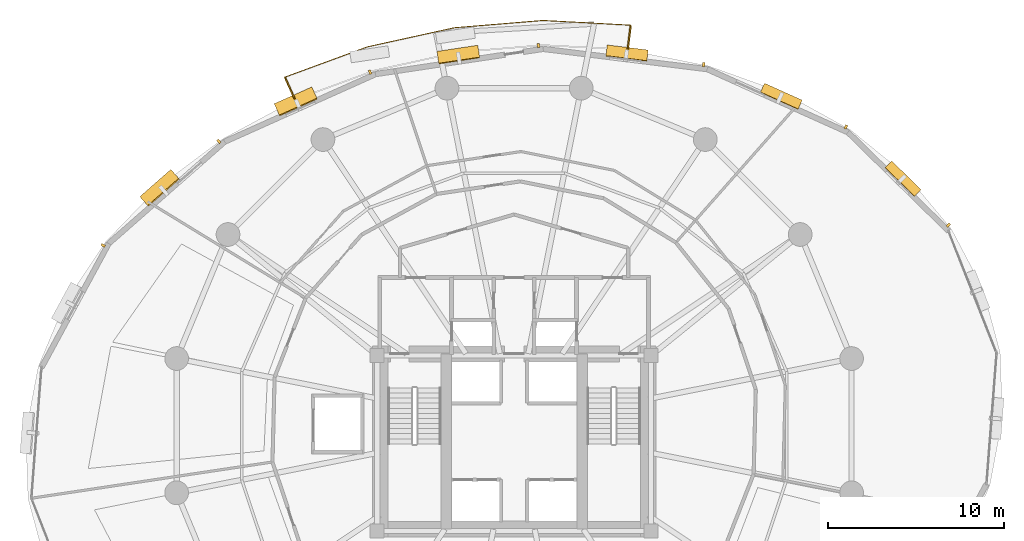
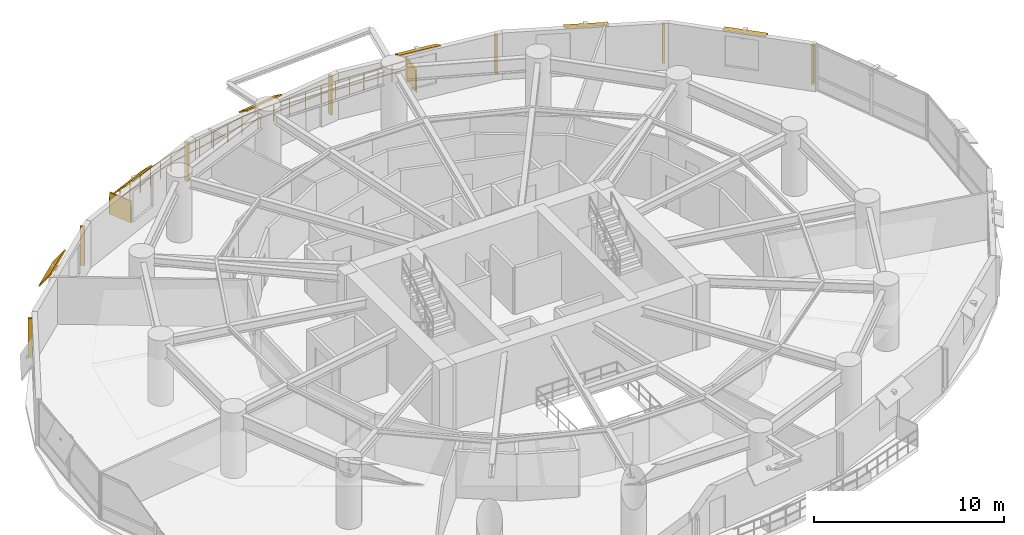
# One storey, part 17 of 17: 15 shading devices, 1 railing.
"""IFC4 building model written with IfcOpenShell, lengths in metres."""

from ifc_helpers import new_model, si_unit, direction, frame, origin, origin_2d, place, context, subcontext, project, spatial, rectangle, extrude, material, layer, layer_set, type_object, element, save


model = new_model("IFC4")

# Units and contexts
model_context = context("Model", 3, precision=1e-05, world=origin(), true_north=direction((0.0, 1.0)))
body_context = subcontext(model_context, "Body", "Model", "MODEL_VIEW")
ifc_project = project(units=[si_unit("LENGTHUNIT", "METRE"), si_unit("AREAUNIT", "SQUARE_METRE"), si_unit("VOLUMEUNIT", "CUBIC_METRE"), si_unit("PLANEANGLEUNIT", "RADIAN"), si_unit("MASSUNIT", "GRAM", prefix="KILO"), si_unit("THERMODYNAMICTEMPERATUREUNIT", "KELVIN"), si_unit("POWERUNIT", "WATT")], contexts=[model_context])

# Site, building, storey
site_placement = place(None, origin())
site = spatial("IfcSite", under=ifc_project, at=site_placement, CompositionType="ELEMENT")
building_placement = place(site_placement, origin())
building = spatial("IfcBuilding", under=site, at=building_placement, Name="Ocrelia Relay Tower", CompositionType="ELEMENT")
storey_placement = place(building_placement, frame((0.0, 0.0, 67.800048828125)))
storey = spatial("IfcBuildingStorey", under=building, at=storey_placement, Name="L15", CompositionType="ELEMENT", Elevation=67.800048828125)

# Railing
ifc_material_1 = material(Name="Steel S355 balustrade", Category="steel")
railing_type = type_object("IfcRailingType", Name="RL-EXT-GUARD-1150", PredefinedType="GUARDRAIL", material=ifc_material_1)
railing_placement = place(storey_placement, frame((21.513916015625, 44.58251953125, 0.0)))
element("IfcRailing", 1, at=railing_placement, inside=storey, type_object=railing_type, Name="L15 Loggia Balcony Guard Rail B1", PredefinedType="GUARDRAIL", context=body_context, shape_type="SweptSolid", body=[
    extrude(rectangle(XDim=0.048095703125, YDim=0.048095703125, at=origin_2d()), frame((0.0, 0.0, 1.1259765625), z_axis=(-0.410116994028, 0.912032922218, 0.0), x_axis=(-0.912032922218, -0.410116994028, 0.0)), (0.0, 0.0, 1.0), 1.3935546875),
    extrude(rectangle(XDim=0.048095703125, YDim=0.048095703125, at=origin_2d()), frame((0.0, 0.0, 0.574951171875), z_axis=(-0.410116994028, 0.912032922218, 0.0), x_axis=(-0.912032922218, -0.410116994028, 0.0)), (0.0, 0.0, 1.0), 1.3935546875),
    extrude(rectangle(XDim=0.048095703125, YDim=0.048095703125, at=origin_2d()), frame((-0.571533203125, 1.27099609375, 1.1259765625), z_axis=(0.938667184319, 0.34482447286, 0.0), x_axis=(-0.34482447286, 0.938667184319, 0.0)), (0.0, 0.0, 1.0), 2.5048828125),
    extrude(rectangle(XDim=0.048095703125, YDim=0.048095703125, at=origin_2d()), frame((-0.571533203125, 1.27099609375, 0.574951171875), z_axis=(0.938667184319, 0.34482447286, 0.0), x_axis=(-0.34482447286, 0.938667184319, 0.0)), (0.0, 0.0, 1.0), 2.5048828125),
    extrude(rectangle(XDim=0.048095703125, YDim=0.048095703125, at=origin_2d()), frame((1.77978515625, 2.134765625, 1.1259765625), z_axis=(0.938635635039, 0.344910342893, 0.0), x_axis=(-0.344910342893, 0.938635635039, 0.0)), (0.0, 0.0, 1.0), 2.505126953125),
    extrude(rectangle(XDim=0.048095703125, YDim=0.048095703125, at=origin_2d()), frame((1.77978515625, 2.134765625, 0.574951171875), z_axis=(0.938635635039, 0.344910342893, 0.0), x_axis=(-0.344910342893, 0.938635635039, 0.0)), (0.0, 0.0, 1.0), 2.505126953125),
    extrude(rectangle(XDim=0.048095703125, YDim=0.048095703125, at=origin_2d()), frame((4.131103515625, 2.998779296875, 1.1259765625), z_axis=(0.976691377526, 0.214648440634, 0.0), x_axis=(-0.214648440634, 0.976691377526, 0.0)), (0.0, 0.0, 1.0), 5.06494140625),
    extrude(rectangle(XDim=0.048095703125, YDim=0.048095703125, at=origin_2d()), frame((4.131103515625, 2.998779296875, 0.574951171875), z_axis=(0.976691377526, 0.214648440634, 0.0), x_axis=(-0.214648440634, 0.976691377526, 0.0)), (0.0, 0.0, 1.0), 5.06494140625),
    extrude(rectangle(XDim=0.048095703125, YDim=0.048095703125, at=origin_2d()), frame((9.077880859375, 4.0859375, 1.1259765625), z_axis=(0.996629347747, 0.082036231072, 0.0), x_axis=(-0.082036231072, 0.996629347747, 0.0)), (0.0, 0.0, 1.0), 5.065185546875),
    extrude(rectangle(XDim=0.048095703125, YDim=0.048095703125, at=origin_2d()), frame((9.077880859375, 4.0859375, 0.574951171875), z_axis=(0.996629347747, 0.082036231072, 0.0), x_axis=(-0.082036231072, 0.996629347747, 0.0)), (0.0, 0.0, 1.0), 5.065185546875),
    extrude(rectangle(XDim=0.048095703125, YDim=0.048095703125, at=origin_2d()), frame((14.1259765625, 4.50146484375, 1.1259765625), z_axis=(0.998562362618, -0.053602313043, 0.0), x_axis=(0.053602313043, 0.998562362618, 0.0)), (0.0, 0.0, 1.0), 2.505126953125),
    extrude(rectangle(XDim=0.048095703125, YDim=0.048095703125, at=origin_2d()), frame((14.1259765625, 4.50146484375, 0.574951171875), z_axis=(0.998562362618, -0.053602313043, 0.0), x_axis=(0.053602313043, 0.998562362618, 0.0)), (0.0, 0.0, 1.0), 2.505126953125),
    extrude(rectangle(XDim=0.048095703125, YDim=0.048095703125, at=origin_2d()), frame((16.62744140625, 4.3671875, 1.1259765625), z_axis=(0.998556860337, -0.053704717428, 0.0), x_axis=(0.053704717428, 0.998556860337, 0.0)), (0.0, 0.0, 1.0), 2.5048828125),
    extrude(rectangle(XDim=0.048095703125, YDim=0.048095703125, at=origin_2d()), frame((16.62744140625, 4.3671875, 0.574951171875), z_axis=(0.998556860337, -0.053704717428, 0.0), x_axis=(0.053704717428, 0.998556860337, 0.0)), (0.0, 0.0, 1.0), 2.5048828125),
    extrude(rectangle(XDim=0.048095703125, YDim=0.048095703125, at=origin_2d()), frame((19.128662109375, 4.232666015625, 1.1259765625), z_axis=(-0.123689721984, -0.992320942375, 0.0), x_axis=(0.992320942375, -0.123689721984, 0.0)), (0.0, 0.0, 1.0), 1.3935546875),
    extrude(rectangle(XDim=0.048095703125, YDim=0.048095703125, at=origin_2d()), frame((19.128662109375, 4.232666015625, 0.574951171875), z_axis=(-0.123689721984, -0.992320942375, 0.0), x_axis=(0.992320942375, -0.123689721984, 0.0)), (0.0, 0.0, 1.0), 1.3935546875),
    extrude(rectangle(XDim=0.0419921875, YDim=0.0419921875, at=origin_2d()), origin(), (0.0, 0.0, 1.0), 1.101806640625),
    extrude(rectangle(XDim=0.0419921875, YDim=0.0419921875, at=origin_2d()), frame((-0.28564453125, 0.635498046875, 0.0)), (0.0, 0.0, 1.0), 1.101806640625),
    extrude(rectangle(XDim=0.0419921875, YDim=0.0419921875, at=origin_2d()), frame((-0.571533203125, 1.27099609375, 0.0)), (0.0, 0.0, 1.0), 1.101806640625),
    extrude(rectangle(XDim=0.0419921875, YDim=0.0419921875, at=origin_2d()), frame((0.212158203125, 1.558837890625, 0.0)), (0.0, 0.0, 1.0), 1.101806640625),
    extrude(rectangle(XDim=0.0419921875, YDim=0.0419921875, at=origin_2d()), frame((0.99609375, 1.846923828125, 0.0)), (0.0, 0.0, 1.0), 1.101806640625),
    extrude(rectangle(XDim=0.0419921875, YDim=0.0419921875, at=origin_2d()), frame((1.77978515625, 2.134765625, 0.0)), (0.0, 0.0, 1.0), 1.101806640625),
    extrude(rectangle(XDim=0.0419921875, YDim=0.0419921875, at=origin_2d()), frame((2.5634765625, 2.4228515625, 0.0)), (0.0, 0.0, 1.0), 1.101806640625),
    extrude(rectangle(XDim=0.0419921875, YDim=0.0419921875, at=origin_2d()), frame((3.347412109375, 2.710693359375, 0.0)), (0.0, 0.0, 1.0), 1.101806640625),
    extrude(rectangle(XDim=0.0419921875, YDim=0.0419921875, at=origin_2d()), frame((4.131103515625, 2.998779296875, 0.0)), (0.0, 0.0, 1.0), 1.101806640625),
    extrude(rectangle(XDim=0.0419921875, YDim=0.0419921875, at=origin_2d()), frame((5.120361328125, 3.21630859375, 0.0)), (0.0, 0.0, 1.0), 1.101806640625),
    extrude(rectangle(XDim=0.0419921875, YDim=0.0419921875, at=origin_2d()), frame((6.10986328125, 3.43359375, 0.0)), (0.0, 0.0, 1.0), 1.101806640625),
    extrude(rectangle(XDim=0.0419921875, YDim=0.0419921875, at=origin_2d()), frame((7.09912109375, 3.651123046875, 0.0)), (0.0, 0.0, 1.0), 1.101806640625),
    extrude(rectangle(XDim=0.0419921875, YDim=0.0419921875, at=origin_2d()), frame((8.088623046875, 3.868408203125, 0.0)), (0.0, 0.0, 1.0), 1.101806640625),
    extrude(rectangle(XDim=0.0419921875, YDim=0.0419921875, at=origin_2d()), frame((9.077880859375, 4.0859375, 0.0)), (0.0, 0.0, 1.0), 1.101806640625),
    extrude(rectangle(XDim=0.0419921875, YDim=0.0419921875, at=origin_2d()), frame((10.08740234375, 4.1689453125, 0.0)), (0.0, 0.0, 1.0), 1.101806640625),
    extrude(rectangle(XDim=0.0419921875, YDim=0.0419921875, at=origin_2d()), frame((11.09716796875, 4.252197265625, 0.0)), (0.0, 0.0, 1.0), 1.101806640625),
    extrude(rectangle(XDim=0.0419921875, YDim=0.0419921875, at=origin_2d()), frame((12.106689453125, 4.335205078125, 0.0)), (0.0, 0.0, 1.0), 1.101806640625),
    extrude(rectangle(XDim=0.0419921875, YDim=0.0419921875, at=origin_2d()), frame((13.116455078125, 4.41845703125, 0.0)), (0.0, 0.0, 1.0), 1.101806640625),
    extrude(rectangle(XDim=0.0419921875, YDim=0.0419921875, at=origin_2d()), frame((14.1259765625, 4.50146484375, 0.0)), (0.0, 0.0, 1.0), 1.101806640625),
    extrude(rectangle(XDim=0.0419921875, YDim=0.0419921875, at=origin_2d()), frame((14.959716796875, 4.456787109375, 0.0)), (0.0, 0.0, 1.0), 1.101806640625),
    extrude(rectangle(XDim=0.0419921875, YDim=0.0419921875, at=origin_2d()), frame((15.793701171875, 4.411865234375, 0.0)), (0.0, 0.0, 1.0), 1.101806640625),
    extrude(rectangle(XDim=0.0419921875, YDim=0.0419921875, at=origin_2d()), frame((16.62744140625, 4.3671875, 0.0)), (0.0, 0.0, 1.0), 1.101806640625),
    extrude(rectangle(XDim=0.0419921875, YDim=0.0419921875, at=origin_2d()), frame((17.461181640625, 4.322265625, 0.0)), (0.0, 0.0, 1.0), 1.101806640625),
    extrude(rectangle(XDim=0.0419921875, YDim=0.0419921875, at=origin_2d()), frame((18.294921875, 4.277587890625, 0.0)), (0.0, 0.0, 1.0), 1.101806640625),
    extrude(rectangle(XDim=0.0419921875, YDim=0.0419921875, at=origin_2d()), frame((19.128662109375, 4.232666015625, 0.0)), (0.0, 0.0, 1.0), 1.101806640625),
    extrude(rectangle(XDim=0.0419921875, YDim=0.0419921875, at=origin_2d()), frame((19.04248046875, 3.541259765625, 0.0)), (0.0, 0.0, 1.0), 1.101806640625),
    extrude(rectangle(XDim=0.0419921875, YDim=0.0419921875, at=origin_2d()), frame((18.956298828125, 2.849853515625, 0.0)), (0.0, 0.0, 1.0), 1.101806640625),
])

# Shading devices
ifc_material_2 = material(Name="Perforated oxide terracotta solar screen", Category="masonry")
ifc_layer_1 = layer(ifc_material_2, 0.090087890625, Name="Perforated oxide terracotta solar screen")
ifc_layer_set_1 = layer_set([ifc_layer_1], Name="Perforated oxide terracotta solar screen")
shading_device_type_1 = type_object("IfcShadingDeviceType", Name="SH-BALC-SCREEN", PredefinedType="USERDEFINED", material=ifc_layer_set_1)
for number, where, z_axis, x_axis, name in (
    (2, (40.556396484375, 48.123779296875, 0.0), (0.0, 0.0, 1.0), (0.123858092145, 0.992299941051, 0.0), "L15 Balcony Perforated Terracotta Screen B1-1"),
    (3, (21.22802734375, 45.218017578125, 0.0), (0.0, 0.0, 1.0), (-0.410122967839, 0.91203023593, 0.0), "L15 Balcony Perforated Terracotta Screen B1-2"),
):
    element("IfcShadingDevice", number, at=place(storey_placement, frame(where, z_axis=z_axis, x_axis=x_axis)), inside=storey, type_object=shading_device_type_1, Name=name, ObjectType="SCREEN", PredefinedType="USERDEFINED", context=body_context, shape_type="SweptSolid", body=[
        extrude(rectangle(XDim=1.340087890625, YDim=0.090087890625, at=origin_2d()), origin(), (0.0, 0.0, 1.0), 1.39990234375),
    ])
ifc_material_3 = material(Name="Extruded oxide terracotta vertical baguette", Category="masonry")
shading_device_type_2 = type_object("IfcShadingDeviceType", Name="SH-TERR-BAGUETTE", PredefinedType="USERDEFINED", material=ifc_material_3)
for number, where, z_axis, x_axis, name in (
    (4, (58.73974609375, 37.420166015625, 0.25), (0.0, 0.0, 1.0), (-0.71384979623, 0.700298842225, 0.0), "L15 Oxide Terracotta Vertical Baguette 02"),
    (5, (52.899169921875, 43.013427734375, 0.25), (0.0, 0.0, 1.0), (-0.912211329794, 0.409720013906, 0.0), "L15 Oxide Terracotta Vertical Baguette 03"),
    (6, (44.793212890625, 46.565673828125, 0.25), (0.0, 0.0, 1.0), (-0.992477644782, 0.122425996456, 0.0), "L15 Oxide Terracotta Vertical Baguette 04"),
    (7, (35.3837890625, 47.65283203125, 0.25), (0.0, 0.0, 1.0), (-0.988886764362, -0.148670667146, 0.0), "L15 Oxide Terracotta Vertical Baguette 05"),
    (8, (25.79443359375, 46.137451171875, 0.25), (0.0, 0.0, 1.0), (-0.912604412346, -0.408843719001, 0.0), "L15 Oxide Terracotta Vertical Baguette 06"),
    (9, (17.179931640625, 42.189208984375, 0.25), (0.0, 0.0, 1.0), (-0.751410930015, -0.659834535512, 0.0), "L15 Oxide Terracotta Vertical Baguette 07"),
    (10, (10.58837890625, 36.271484375, 0.25), (0.0, 0.0, 1.0), (-0.476377522101, -0.879240840974, 0.0), "L15 Oxide Terracotta Vertical Baguette 08"),
):
    element("IfcShadingDevice", number, at=place(storey_placement, frame(where, z_axis=z_axis, x_axis=x_axis)), inside=storey, type_object=shading_device_type_2, Name=name, ObjectType="BAGUETTE", PredefinedType="USERDEFINED", context=body_context, shape_type="SweptSolid", body=[
        extrude(rectangle(XDim=0.139892578125, YDim=0.239990234375, at=origin_2d()), origin(), (0.0, 0.0, 1.0), 2.5),
    ])
ifc_material_4 = material(Name="Extruded oxide terracotta fin", Category="masonry")
ifc_layer_2 = layer(ifc_material_4, 0.080078125, Name="Extruded oxide terracotta fin")
ifc_layer_set_2 = layer_set([ifc_layer_2], Name="Extruded oxide terracotta fin")
shading_device_type_3 = type_object("IfcShadingDeviceType", Name="SH-VISOR-FIN-DEEP", PredefinedType="USERDEFINED", material=ifc_layer_set_2)
shading_device_1_placement = place(storey_placement, frame((13.828125, 39.51904296875, 2.816650390625), z_axis=(-0.536578993759, 0.611049132817, 0.581981048437), x_axis=(-0.751410930015, -0.659834535512, 0.0)))
element("IfcShadingDevice", 11, at=shading_device_1_placement, inside=storey, type_object=shading_device_type_3, Name="L15 Canted Terracotta Sun-Visor Fin 07", ObjectType="FIN", PredefinedType="USERDEFINED", context=body_context, shape_type="SweptSolid", body=[
    extrude(rectangle(XDim=2.35009765625, YDim=1.156982421875, at=origin_2d()), origin(), (0.0, 0.0, 1.0), 0.080078125),
])
ifc_layer_3 = layer(ifc_material_4, 0.080078125, Name="Extruded oxide terracotta fin")
ifc_layer_set_3 = layer_set([ifc_layer_3], Name="Extruded oxide terracotta fin")
shading_device_type_4 = type_object("IfcShadingDeviceType", Name="SH-VISOR-FIN-MED", PredefinedType="USERDEFINED", material=ifc_layer_set_3)
shading_device_2_placement = place(storey_placement, frame((30.826171875, 47.110595703125, 2.80712890625), z_axis=(-0.085698577009, 0.570026288011, 0.817144898335), x_axis=(-0.988886764362, -0.148670667146, 0.0)))
element("IfcShadingDevice", 12, at=shading_device_2_placement, inside=storey, type_object=shading_device_type_4, Name="L15 Canted Terracotta Sun-Visor Fin 05", ObjectType="FIN", PredefinedType="USERDEFINED", context=body_context, shape_type="SweptSolid", body=[
    extrude(rectangle(XDim=2.35009765625, YDim=0.8369140625, at=origin_2d()), origin(), (0.0, 0.0, 1.0), 0.080078125),
])
shading_device_3_placement = place(storey_placement, frame((21.57373046875, 44.44189453125, 2.81201171875), z_axis=(-0.292805753999, 0.653589160458, 0.697915467487), x_axis=(-0.912604412346, -0.408843719001, 0.0)))
element("IfcShadingDevice", 13, at=shading_device_3_placement, inside=storey, type_object=shading_device_type_4, Name="L15 Canted Terracotta Sun-Visor Fin 06", ObjectType="FIN", PredefinedType="USERDEFINED", context=body_context, shape_type="SweptSolid", body=[
    extrude(rectangle(XDim=2.35009765625, YDim=1.011962890625, at=origin_2d()), origin(), (0.0, 0.0, 1.0), 0.080078125),
])
ifc_layer_4 = layer(ifc_material_4, 0.080078125, Name="Extruded oxide terracotta fin")
ifc_layer_set_4 = layer_set([ifc_layer_4], Name="Extruded oxide terracotta fin")
shading_device_type_5 = type_object("IfcShadingDeviceType", Name="SH-VISOR-FIN-SHAL", PredefinedType="USERDEFINED", material=ifc_layer_set_4)
shading_device_4_placement = place(storey_placement, frame((56.143798828125, 40.056396484375, 2.8017578125), z_axis=(0.218727781821, 0.222960217936, 0.949972051525), x_axis=(-0.71384979623, 0.700298842225, 0.0)))
element("IfcShadingDevice", 14, at=shading_device_4_placement, inside=storey, type_object=shading_device_type_5, Name="L15 Canted Terracotta Sun-Visor Fin 02", ObjectType="FIN", PredefinedType="USERDEFINED", context=body_context, shape_type="SweptSolid", body=[
    extrude(rectangle(XDim=2.35009765625, YDim=0.552978515625, at=origin_2d()), origin(), (0.0, 0.0, 1.0), 0.080078125),
])
shading_device_5_placement = place(storey_placement, frame((49.212646484375, 44.74658203125, 2.80224609375), z_axis=(0.142950984754, 0.318269802479, 0.937160257794), x_axis=(-0.912211329794, 0.409720013906, 0.0)))
element("IfcShadingDevice", 15, at=shading_device_5_placement, inside=storey, type_object=shading_device_type_5, Name="L15 Canted Terracotta Sun-Visor Fin 03", ObjectType="FIN", PredefinedType="USERDEFINED", context=body_context, shape_type="SweptSolid", body=[
    extrude(rectangle(XDim=2.35009765625, YDim=0.590087890625, at=origin_2d()), origin(), (0.0, 0.0, 1.0), 0.080078125),
])
shading_device_6_placement = place(storey_placement, frame((40.4287109375, 47.203369140625, 2.803955078125), z_axis=(0.053629611469, 0.434762158549, 0.898947011936), x_axis=(-0.992477644782, 0.122425996456, 0.0)))
element("IfcShadingDevice", 16, at=shading_device_6_placement, inside=storey, type_object=shading_device_type_5, Name="L15 Canted Terracotta Sun-Visor Fin 04", ObjectType="FIN", PredefinedType="USERDEFINED", context=body_context, shape_type="SweptSolid", body=[
    extrude(rectangle(XDim=2.35009765625, YDim=0.68310546875, at=origin_2d()), origin(), (0.0, 0.0, 1.0), 0.080078125),
])

save(model, "model.ifc")
